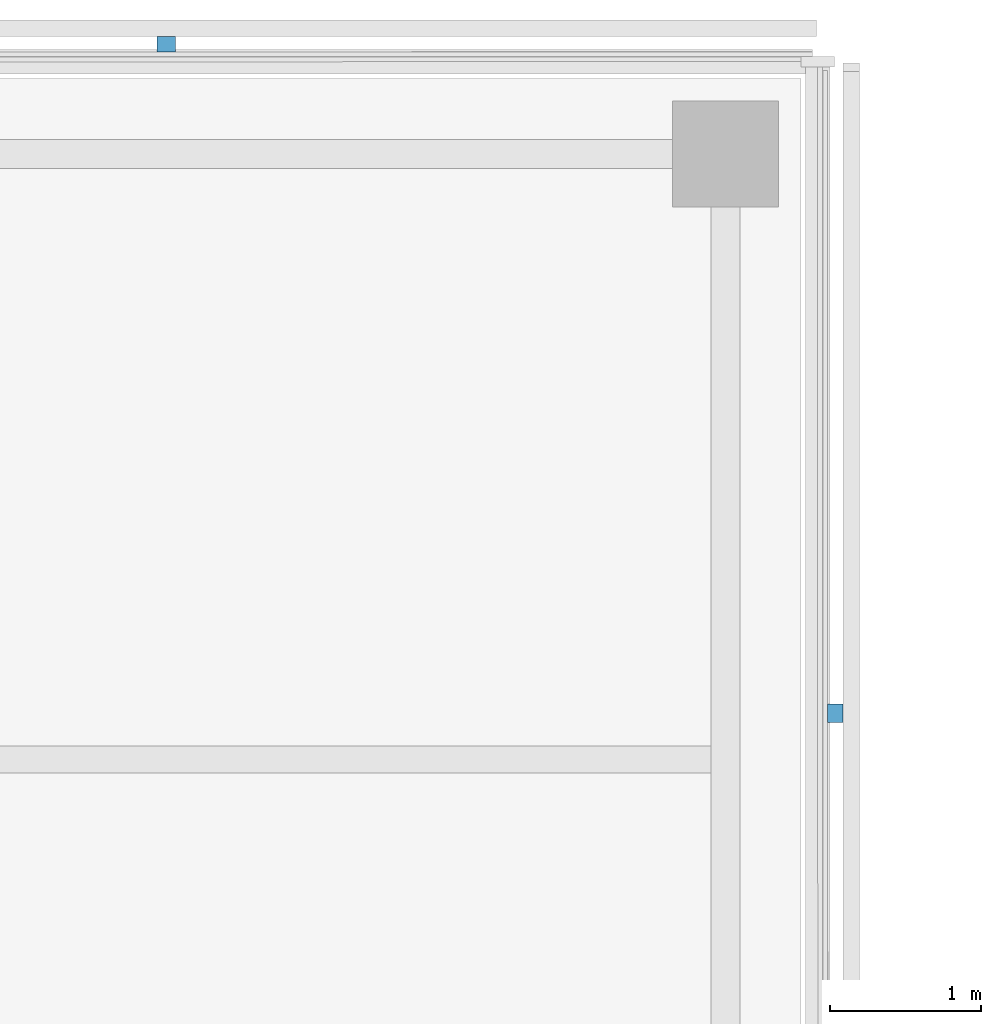
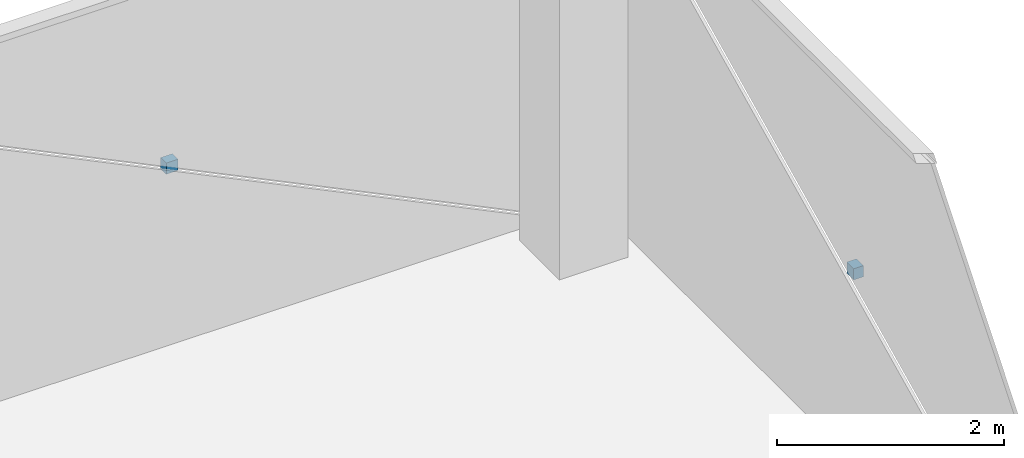
# One storey, part 20 of 22: 2 discrete accessories.
"""IFC4 building model written with IfcOpenShell, lengths in metres."""

from ifc_helpers import new_model, si_unit, direction, frame, origin, origin_2d, place, context, subcontext, project, spatial, rectangle, extrude, material, type_object, element, save


model = new_model("IFC4")

# Units and contexts
model_context = context("Model", 3, precision=1e-05, world=origin(), true_north=direction((0.0, 1.0)))
body_context = subcontext(model_context, "Body", "Model", "MODEL_VIEW")
ifc_project = project(units=[si_unit("LENGTHUNIT", "METRE"), si_unit("AREAUNIT", "SQUARE_METRE"), si_unit("VOLUMEUNIT", "CUBIC_METRE"), si_unit("PLANEANGLEUNIT", "RADIAN"), si_unit("MASSUNIT", "GRAM", prefix="KILO")], contexts=[model_context])

# Site, building, storey
site_placement = place(None, origin())
site = spatial("IfcSite", under=ifc_project, at=site_placement, CompositionType="ELEMENT")
building_placement = place(site_placement, origin())
building = spatial("IfcBuilding", under=site, at=building_placement, Name="Crosswind Convention Tower", CompositionType="ELEMENT")
storey_placement = place(building_placement, frame((0.0, 0.0, 150.5)))
storey = spatial("IfcBuildingStorey", under=building, at=storey_placement, Name="L31", CompositionType="ELEMENT", Elevation=150.5)

# Discrete accessories
ifc_material = material(Name="Stainless steel", Category="steel")
discrete_accessory_type = type_object("IfcDiscreteAccessoryType", Name="BAGUETTE BRACKET BK3", PredefinedType="BRACKET", material=ifc_material)
for number, where, z_axis, x_axis, name in (
    (1, (137.72607421875, 124.304931640625, 1.704833984375), (0.0, 0.0, 1.0), (0.0, 1.0, 0.0), "BK3 baguette bracket"),
    (2, (133.304931640625, 128.72607421875, 1.704833984375), (0.0, 0.0, 1.0), (-1.0, 0.0, 0.0), "BK3 baguette bracket"),
):
    element("IfcDiscreteAccessory", number, at=place(storey_placement, frame(where, z_axis=z_axis, x_axis=x_axis)), inside=storey, type_object=discrete_accessory_type, Name=name, PredefinedType="BRACKET", context=body_context, shape_type="SweptSolid", body=[
        extrude(rectangle(XDim=0.1201171875, YDim=0.10009765625, at=origin_2d()), origin(), (0.0, 0.0, 1.0), 0.1201171875),
    ])

save(model, "model.ifc")
